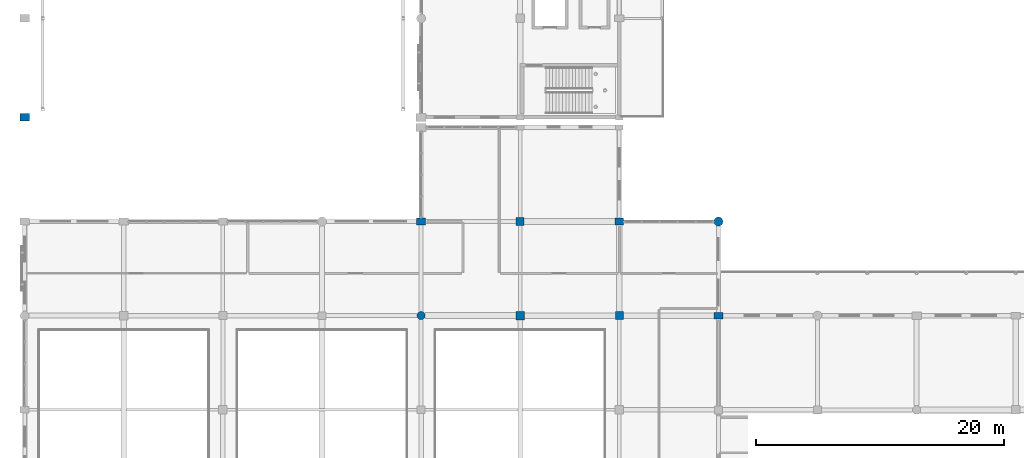
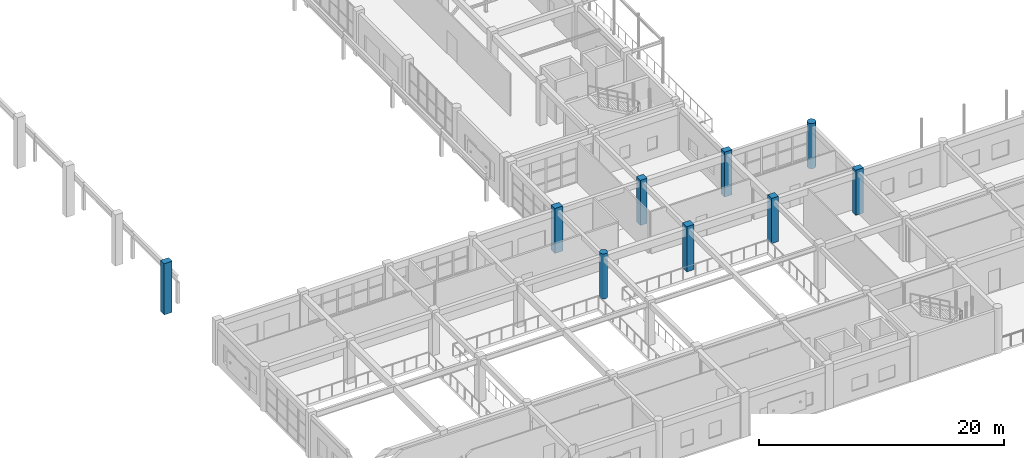
# One storey, part 4 of 160: 9 columns.
"""IFC4 building model written with IfcOpenShell, lengths in metres."""

from ifc_helpers import new_model, si_unit, direction, frame, origin, origin_2d, place, context, subcontext, project, spatial, rectangle, circle, extrude, material, material_profile, profile_set, type_object, element, save


model = new_model("IFC4")

# Units and contexts
model_context = context("Model", 3, precision=1e-05, world=origin(), true_north=direction((0.0, 1.0)))
body_context = subcontext(model_context, "Body", "Model", "MODEL_VIEW")
ifc_project = project(units=[si_unit("LENGTHUNIT", "METRE"), si_unit("AREAUNIT", "SQUARE_METRE"), si_unit("VOLUMEUNIT", "CUBIC_METRE"), si_unit("PLANEANGLEUNIT", "RADIAN"), si_unit("MASSUNIT", "GRAM", prefix="KILO")], contexts=[model_context])

# Site, building, storey
site_placement = place(None, origin())
site = spatial("IfcSite", under=ifc_project, at=site_placement, CompositionType="ELEMENT")
building_placement = place(site_placement, origin())
building = spatial("IfcBuilding", under=site, at=building_placement, Name="Kharva Crest Polytechnic", CompositionType="ELEMENT")
storey_placement = place(building_placement, frame((0.0, 0.0, 4.5)))
storey = spatial("IfcBuildingStorey", under=building, at=storey_placement, Name="L01", CompositionType="ELEMENT", Elevation=4.5)

# Columns
ifc_material = material(Name="Concrete C40/50", Category="concrete")
ifc_material_profile_1 = material_profile(ifc_material, rectangle(XDim=0.719970703125, YDim=0.550048828125, at=origin_2d()), Name="RECT 720 X 550")
ifc_profile_set_1 = profile_set([ifc_material_profile_1], Name="Concrete C40/50")
column_type_1 = type_object("IfcColumnType", Name="COL-EXT-720X550", PredefinedType="COLUMN", material=ifc_profile_set_1)
for number, where, z_axis, x_axis, name in (
    (1, (48.0, 30.39990234375, 0.0), (0.0, 0.0, 1.0), (1.0, 0.0, 0.0), "L01 Column 7/E"),
    (2, (56.0, 22.800048828125, 0.0), (0.0, 0.0, 1.0), (1.0, 0.0, 0.0), "L01 Column 8/D"),
):
    element("IfcColumn", number, at=place(storey_placement, frame(where, z_axis=z_axis, x_axis=x_axis)), inside=storey, type_object=column_type_1, Name=name, PredefinedType="COLUMN", context=body_context, shape_type="SweptSolid", body=[
        extrude(rectangle(XDim=0.719970703125, YDim=0.550048828125, at=origin_2d()), origin(), (0.0, 0.0, 1.0), 4.5),
    ])
ifc_material_profile_2 = material_profile(ifc_material, rectangle(XDim=0.75, YDim=0.60009765625, at=origin_2d()), Name="RECT 750 X 600")
ifc_profile_set_2 = profile_set([ifc_material_profile_2], Name="Concrete C40/50")
column_type_2 = type_object("IfcColumnType", Name="COL-EXT-750X600", PredefinedType="COLUMN", material=ifc_profile_set_2)
column_1_placement = place(storey_placement, frame((0.0, 38.800048828125, 0.0), z_axis=(0.0, 0.0, 1.0), x_axis=(1.0, 0.0, 0.0)))
element("IfcColumn", 3, at=column_1_placement, inside=storey, type_object=column_type_2, Name="L01 Column 1/FJ", PredefinedType="COLUMN", context=body_context, shape_type="SweptSolid", body=[
    extrude(rectangle(XDim=0.75, YDim=0.60009765625, at=origin_2d()), origin(), (0.0, 0.0, 1.0), 5.10009765625),
])
column_2_placement = place(storey_placement, frame((32.0, 30.39990234375, 0.0), z_axis=(0.0, 0.0, 1.0), x_axis=(1.0, 0.0, 0.0)))
element("IfcColumn", 4, at=column_2_placement, inside=storey, type_object=column_type_2, Name="L01 Column 5/E", PredefinedType="COLUMN", context=body_context, shape_type="SweptSolid", body=[
    extrude(rectangle(XDim=0.75, YDim=0.60009765625, at=origin_2d()), origin(), (0.0, 0.0, 1.0), 4.5),
])
ifc_material_profile_3 = material_profile(ifc_material, circle(Radius=0.360107421875, at=origin_2d()), Name="DIA 720")
ifc_profile_set_3 = profile_set([ifc_material_profile_3], Name="Concrete C40/50")
column_type_3 = type_object("IfcColumnType", Name="COL-EXT-DIA720", PredefinedType="COLUMN", material=ifc_profile_set_3)
column_3_placement = place(storey_placement, frame((56.0, 30.39990234375, 0.0), z_axis=(0.0, 0.0, 1.0), x_axis=(1.0, 0.0, 0.0)))
element("IfcColumn", 5, at=column_3_placement, inside=storey, type_object=column_type_3, Name="L01 Column 8/E", PredefinedType="COLUMN", context=body_context, shape_type="SweptSolid", body=[
    extrude(circle(Radius=0.360107421875, at=origin_2d()), origin(), (0.0, 0.0, 1.0), 4.5),
])
ifc_material_profile_4 = material_profile(ifc_material, rectangle(XDim=0.64990234375, YDim=0.64990234375, at=origin_2d()), Name="RECT 650 X 650")
ifc_profile_set_4 = profile_set([ifc_material_profile_4], Name="Concrete C40/50")
column_type_4 = type_object("IfcColumnType", Name="COL-INT-650X650", PredefinedType="COLUMN", material=ifc_profile_set_4)
for number, where, z_axis, x_axis, name in (
    (6, (40.0, 30.39990234375, 0.0), (0.0, 0.0, 1.0), (1.0, 0.0, 0.0), "L01 Column 6/E"),
    (7, (48.0, 22.800048828125, 0.0), (0.0, 0.0, 1.0), (1.0, 0.0, 0.0), "L01 Column 7/D"),
):
    element("IfcColumn", number, at=place(storey_placement, frame(where, z_axis=z_axis, x_axis=x_axis)), inside=storey, type_object=column_type_4, Name=name, PredefinedType="COLUMN", context=body_context, shape_type="SweptSolid", body=[
        extrude(rectangle(XDim=0.64990234375, YDim=0.64990234375, at=origin_2d()), origin(), (0.0, 0.0, 1.0), 4.5),
    ])
ifc_material_profile_5 = material_profile(ifc_material, rectangle(XDim=0.679931640625, YDim=0.679931640625, at=origin_2d()), Name="RECT 680 X 680")
ifc_profile_set_5 = profile_set([ifc_material_profile_5], Name="Concrete C40/50")
column_type_5 = type_object("IfcColumnType", Name="COL-INT-680X680", PredefinedType="COLUMN", material=ifc_profile_set_5)
column_4_placement = place(storey_placement, frame((40.0, 22.800048828125, 0.0), z_axis=(0.0, 0.0, 1.0), x_axis=(1.0, 0.0, 0.0)))
element("IfcColumn", 8, at=column_4_placement, inside=storey, type_object=column_type_5, Name="L01 Column 6/D", PredefinedType="COLUMN", context=body_context, shape_type="SweptSolid", body=[
    extrude(rectangle(XDim=0.679931640625, YDim=0.679931640625, at=origin_2d()), origin(), (0.0, 0.0, 1.0), 4.5),
])
ifc_material_profile_6 = material_profile(ifc_material, circle(Radius=0.330078125, at=origin_2d()), Name="DIA 660")
ifc_profile_set_6 = profile_set([ifc_material_profile_6], Name="Concrete C40/50")
column_type_6 = type_object("IfcColumnType", Name="COL-INT-DIA660", PredefinedType="COLUMN", material=ifc_profile_set_6)
column_5_placement = place(storey_placement, frame((32.0, 22.800048828125, 0.0), z_axis=(0.0, 0.0, 1.0), x_axis=(1.0, 0.0, 0.0)))
element("IfcColumn", 9, at=column_5_placement, inside=storey, type_object=column_type_6, Name="L01 Column 5/D", PredefinedType="COLUMN", context=body_context, shape_type="SweptSolid", body=[
    extrude(circle(Radius=0.330078125, at=origin_2d()), origin(), (0.0, 0.0, 1.0), 4.5),
])

save(model, "model.ifc")
